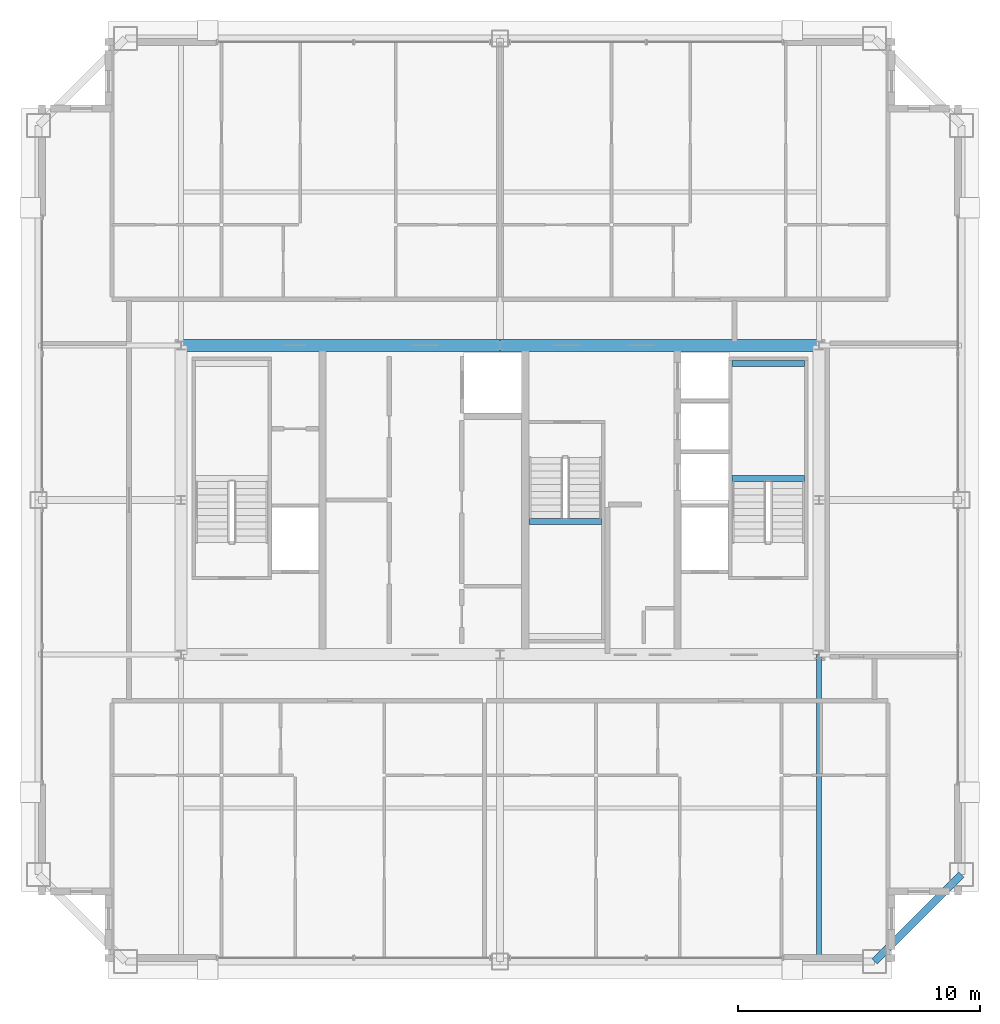
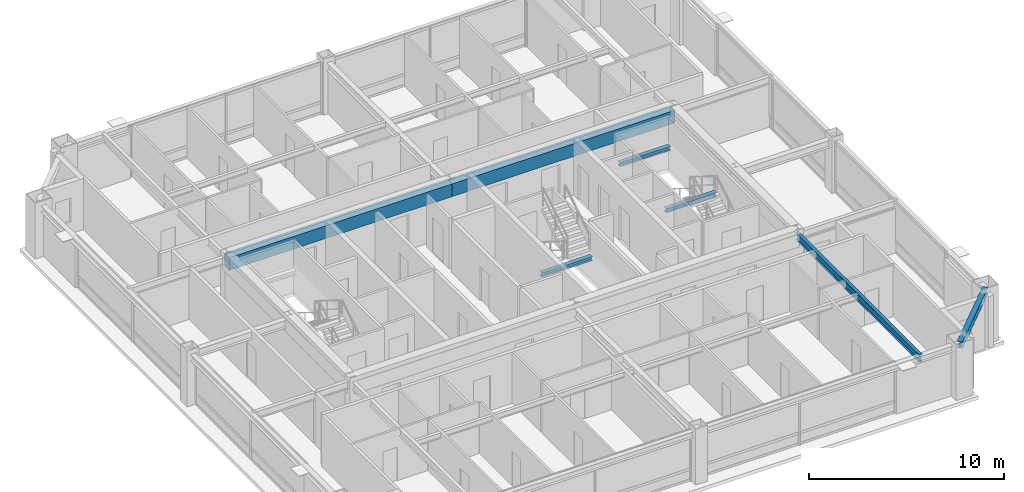
# One storey, part 13 of 35: 7 beams.
"""IFC4 building model written with IfcOpenShell, lengths in metres."""

import ifcopenshell
import ifcopenshell.guid

model = None  # the IFC model being written
_history = None  # IfcOwnerHistory: only IFC2X3 demands one
_inside = {}  # id of a spatial element -> (the spatial element, [elements in it])
_under = {}  # id of a project, library or spatial element -> (it, [spatial elements below it])
_declared = {}  # id of a project -> (the project, [libraries it declares])
_typed = {}  # id of a type object -> (the type object, [elements of that type])
_made_of = {}  # id of a material, layer set ... -> (it, [elements and type objects made of it])


def new_model(schema):
    """Start an empty IFC model of exactly this schema.

    Asked for "IFC4X3", IfcOpenShell would pick the latest addendum, in which some entities
    have other attributes; the version numbers below select the first issue.
    IFC2X3 requires an IfcOwnerHistory on every rooted entity: one is made here for all.
    """
    global model, _history
    if schema == "IFC4X3":
        model = ifcopenshell.file(schema_version=(4, 3, 0, 0))
    else:
        model = ifcopenshell.file(schema=schema)
    _inside.clear()
    _under.clear()
    _declared.clear()
    _typed.clear()
    _made_of.clear()
    _history = None
    if model.schema == "IFC2X3":
        org = make("IfcOrganization", Name="unknown")
        user = make(
            "IfcPersonAndOrganization",
            ThePerson=make("IfcPerson", FamilyName="unknown"),
            TheOrganization=org,
        )
        app = make(
            "IfcApplication",
            ApplicationDeveloper=org,
            Version="unknown",
            ApplicationFullName="unknown",
            ApplicationIdentifier="unknown",
        )
        _history = make(
            "IfcOwnerHistory",
            OwningUser=user,
            OwningApplication=app,
            ChangeAction="ADDED",
            CreationDate=0,
        )
    return model


def make(cls, **values):
    """One entity of the class cls with the attributes given. An attribute that is None is left unset."""
    return model.create_entity(
        cls, **{name: value for name, value in values.items() if value is not None}
    )


def rooted(cls, **values):
    """An entity with a GlobalId (a new one), such as an element, a storey or a relation."""
    return make(cls, GlobalId=ifcopenshell.guid.new(), OwnerHistory=_history, **values)


def si_unit(unit_type, name, prefix=None):
    """IfcSIUnit, for example si_unit("LENGTHUNIT", "METRE", prefix="MILLI")."""
    return make("IfcSIUnit", UnitType=unit_type, Prefix=prefix, Name=name)


def assignment(units):
    """IfcUnitAssignment: the units of a project."""
    return None if units is None else make("IfcUnitAssignment", Units=units)


def point(xyz):
    """IfcCartesianPoint."""
    return None if xyz is None else make("IfcCartesianPoint", Coordinates=xyz)


def direction(xyz):
    """IfcDirection."""
    return None if xyz is None else make("IfcDirection", DirectionRatios=xyz)


def frame(location, z_axis=None, x_axis=None):
    """IfcAxis2Placement3D, a coordinate frame: its origin and axes. An axis left out is left unset."""
    return make(
        "IfcAxis2Placement3D",
        Location=point(location),
        Axis=direction(z_axis),
        RefDirection=direction(x_axis),
    )


def frame_2d(location, x_axis=None):
    """IfcAxis2Placement2D, a coordinate frame in the plane: its origin and x axis."""
    return make(
        "IfcAxis2Placement2D", Location=point(location), RefDirection=direction(x_axis)
    )


def origin():
    """The frame at (0, 0, 0) with its axes left unset."""
    return frame((0.0, 0.0, 0.0))


def origin_2d():
    """The frame at (0, 0) in the plane with its x axis left unset."""
    return frame_2d((0.0, 0.0))


def place(relative_to, where):
    """IfcLocalPlacement: puts the frame where relative to a parent placement (None: the world)."""
    return make(
        "IfcLocalPlacement", PlacementRelTo=relative_to, RelativePlacement=where
    )


def context(
    kind, dimensions, precision=None, world=None, true_north=None, identifier=None
):
    """IfcGeometricRepresentationContext, for example the 3D "Model" context."""
    return make(
        "IfcGeometricRepresentationContext",
        ContextIdentifier=identifier,
        ContextType=kind,
        CoordinateSpaceDimension=dimensions,
        Precision=precision,
        WorldCoordinateSystem=world,
        TrueNorth=true_north,
    )


def subcontext(parent, identifier, kind, view, scale=None):
    """IfcGeometricRepresentationSubContext, for example "Body" below "Model"."""
    return make(
        "IfcGeometricRepresentationSubContext",
        ContextIdentifier=identifier,
        ContextType=kind,
        ParentContext=parent,
        TargetScale=scale,
        TargetView=view,
    )


def project(units=None, contexts=None):
    """IfcProject with its units and contexts."""
    return rooted(
        "IfcProject",
        Name="project",
        RepresentationContexts=contexts,
        UnitsInContext=assignment(units),
    )


def spatial(cls, under=None, at=None, **own):
    """A site, building, storey or space (cls), placed at a placement, below another one or the project."""
    s = rooted(cls, ObjectPlacement=at, **own)
    if under is not None:
        _under.setdefault(under.id(), (under, []))[1].append(s)
    return s


def profile(cls, at=None, kind="AREA", **sizes):
    """A parametric profile (cls). Its sizes go by their IFC names, for example OverallWidth=200.0."""
    return make(cls, ProfileType=kind, Position=at, **sizes)


def rectangle(**sizes):
    """IfcRectangleProfileDef."""
    return profile("IfcRectangleProfileDef", **sizes)


def i_section(**sizes):
    """IfcIShapeProfileDef."""
    return profile("IfcIShapeProfileDef", **sizes)


def extrude(swept, where, along, depth):
    """IfcExtrudedAreaSolid: the profile swept, set in the frame where, extruded along a direction by depth."""
    return make(
        "IfcExtrudedAreaSolid",
        SweptArea=swept,
        Position=where,
        ExtrudedDirection=direction(along),
        Depth=depth,
    )


def shape(context_of_items, identifier, shape_type, items):
    """IfcShapeRepresentation: the items that make up one representation, for example the "Body"."""
    return make(
        "IfcShapeRepresentation",
        ContextOfItems=context_of_items,
        RepresentationIdentifier=identifier,
        RepresentationType=shape_type,
        Items=items,
    )


def source(mapping_origin, context_of_items, identifier, shape_type, items):
    """IfcRepresentationMap: a shape defined once, which mapped items show again and again."""
    return make(
        "IfcRepresentationMap",
        MappingOrigin=mapping_origin,
        MappedRepresentation=shape(context_of_items, identifier, shape_type, items),
    )


def transform(
    local_origin,
    x_axis=None,
    y_axis=None,
    z_axis=None,
    scale=None,
    scale2=None,
    scale3=None,
    uniform=True,
):
    """IfcCartesianTransformationOperator3D, or its non-uniform kind. x_axis, y_axis, z_axis: its Axis1, 2, 3."""
    if uniform:
        return make(
            "IfcCartesianTransformationOperator3D",
            Axis1=direction(x_axis),
            Axis2=direction(y_axis),
            LocalOrigin=point(local_origin),
            Scale=scale,
            Axis3=direction(z_axis),
        )
    return make(
        "IfcCartesianTransformationOperator3DnonUniform",
        Axis1=direction(x_axis),
        Axis2=direction(y_axis),
        LocalOrigin=point(local_origin),
        Scale=scale,
        Axis3=direction(z_axis),
        Scale2=scale2,
        Scale3=scale3,
    )


def mapped(mapping_source, mapping_target):
    """IfcMappedItem: shows the shape of a source again, moved by a transform."""
    return make(
        "IfcMappedItem", MappingSource=mapping_source, MappingTarget=mapping_target
    )


def material(Name=None, Category=None):
    """IfcMaterial."""
    return make("IfcMaterial", Name=Name, Category=Category)


def material_profile(
    of_material, cross_section, Name=None, Category=None, Priority=None
):
    """IfcMaterialProfile: a cross section and its material."""
    return make(
        "IfcMaterialProfile",
        Name=Name,
        Material=of_material,
        Profile=cross_section,
        Priority=Priority,
        Category=Category,
    )


def profile_set(profiles, Name=None, composite=None):
    """IfcMaterialProfileSet."""
    return make(
        "IfcMaterialProfileSet",
        Name=Name,
        MaterialProfiles=profiles,
        CompositeProfile=composite,
    )


def made_of(thing, what):
    """Note that an element or type object is made of a material, layer set ...; save() writes the relation."""
    if what is not None:
        _made_of.setdefault(what.id(), (what, []))[1].append(thing)
    return thing


def type_object(cls, material=None, **own):
    """A type object (cls), such as IfcWallType, which elements share."""
    return made_of(rooted(cls, **own), material)


def element(
    cls,
    number,
    at=None,
    inside=None,
    cuts=None,
    type_object=None,
    material=None,
    context=None,
    identifier="Body",
    shape_type=None,
    held_by="IfcProductDefinitionShape",
    body=None,
    shapes=None,
    **own,
):
    """One element of the class cls, such as IfcWall. Its Tag is "e" and its number.

    at: its placement. inside: the storey or other place that contains it. cuts: it is an
    opening in that element (IfcRelVoidsElement). A single representation is given by context,
    identifier, shape_type and body (its items); several are given by shapes. held_by: the class
    of the entity that holds the representations. save() writes the other relations.
    """
    e = rooted(cls, Tag="e%d" % number, ObjectPlacement=at, **own)
    if body is not None:
        shapes = [shape(context, identifier, shape_type, body)]
    if shapes is not None:
        e.Representation = make(held_by, Representations=shapes)
    if inside is not None:
        _inside.setdefault(inside.id(), (inside, []))[1].append(e)
    if cuts is not None:
        rooted(
            "IfcRelVoidsElement", RelatingBuildingElement=cuts, RelatedOpeningElement=e
        )
    if type_object is not None:
        _typed.setdefault(type_object.id(), (type_object, []))[1].append(e)
    return made_of(e, material)


def aggregate(whole, parts):
    """IfcRelAggregates: a whole, such as a stair, and the parts it consists of."""
    return rooted("IfcRelAggregates", RelatingObject=whole, RelatedObjects=parts)


def save(model, path):
    """Write the relations noted so far, then the file.

    IfcRelAggregates (storeys below a building ...), IfcRelContainedInSpatialStructure (elements
    in a storey), IfcRelDefinesByType, IfcRelAssociatesMaterial and IfcRelDeclares: one each for
    every whole, place, type object, material and project.
    """
    for whole, parts in _under.values():
        aggregate(whole, parts)
    for where, things in _inside.values():
        rooted(
            "IfcRelContainedInSpatialStructure",
            RelatedElements=things,
            RelatingStructure=where,
        )
    for kind, things in _typed.values():
        rooted("IfcRelDefinesByType", RelatedObjects=things, RelatingType=kind)
    for what, things in _made_of.values():
        rooted("IfcRelAssociatesMaterial", RelatedObjects=things, RelatingMaterial=what)
    for by, libraries in _declared.values():
        rooted("IfcRelDeclares", RelatingContext=by, RelatedDefinitions=libraries)
    model.write(path)


model = new_model("IFC4")

# Units and contexts
model_context = context("Model", 3, precision=1e-05, world=origin(), true_north=direction((0.0, 1.0)))
body_context = subcontext(model_context, "Body", "Model", "MODEL_VIEW")
ifc_project = project(units=[si_unit("LENGTHUNIT", "METRE"), si_unit("AREAUNIT", "SQUARE_METRE"), si_unit("VOLUMEUNIT", "CUBIC_METRE"), si_unit("PLANEANGLEUNIT", "RADIAN"), si_unit("MASSUNIT", "GRAM", prefix="KILO"), si_unit("THERMODYNAMICTEMPERATUREUNIT", "KELVIN"), si_unit("POWERUNIT", "WATT")], contexts=[model_context])

# Site, building, storey
site_placement = place(None, origin())
site = spatial("IfcSite", under=ifc_project, at=site_placement, CompositionType="ELEMENT")
building_placement = place(site_placement, origin())
building = spatial("IfcBuilding", under=site, at=building_placement, Name="Yuzanri Waterfront Tower", CompositionType="ELEMENT")
storey_placement = place(building_placement, frame((0.0, 0.0, 303.10009765625)))
storey = spatial("IfcBuildingStorey", under=building, at=storey_placement, Name="L81", CompositionType="ELEMENT", Elevation=303.10009765625)

# Beams
ifc_material_1 = material(Name="Concrete C50", Category="concrete")
ifc_material_profile_1 = material_profile(ifc_material_1, rectangle(XDim=0.5, YDim=0.800048828125, at=origin_2d()), Name="RC 500x800")
ifc_profile_set_1 = profile_set([ifc_material_profile_1], Name="Concrete C50")
beam_type_1 = type_object("IfcBeamType", Name="Core Coupling Lintel Concrete C50 500x800", PredefinedType="LINTEL", material=ifc_profile_set_1)
shared_shape_1 = source(origin(), body_context, "Body", "SweptSolid", [
    extrude(rectangle(XDim=0.5, YDim=0.800048828125, at=origin_2d()), origin(), (0.0, 0.0, 1.0), 13.199951171875),
])
for number, where, z_axis, x_axis, name in (
    (1, (23.800048828125, 32.199951171875, 2.81982421875), (1.0, 0.0, 0.0), (0.0, 1.0, 0.0), "L81 Core Tie Beam CN1"),
    (2, (37.0, 32.199951171875, 2.81982421875), (1.0, 0.0, 0.0), (0.0, 1.0, 0.0), "L81 Core Tie Beam CN2"),
):
    element("IfcBeam", number, at=place(storey_placement, frame(where, z_axis=z_axis, x_axis=x_axis)), inside=storey, type_object=beam_type_1, Name=name, PredefinedType="LINTEL", context=body_context, shape_type="MappedRepresentation", body=[
        mapped(shared_shape_1, transform((0.0, 0.0, 0.0), scale=1.0)),
    ])
ifc_material_2 = material(Name="Steel Q355B", Category="steel")
ifc_material_profile_2 = material_profile(ifc_material_2, i_section(OverallWidth=0.300048828125, OverallDepth=0.389892578125, WebThickness=0.010009765625, FlangeThickness=0.01611328125, at=origin_2d()), Name="HM 390x300x10x16")
ifc_profile_set_2 = profile_set([ifc_material_profile_2], Name="Steel Q355B")
beam_type_2 = type_object("IfcBeamType", Name="Perimeter Spandrel Q355B HM 390x300", PredefinedType="SPANDREL", material=ifc_profile_set_2)
shared_shape_2 = source(origin(), body_context, "Body", "SweptSolid", [
    extrude(i_section(OverallWidth=0.300048828125, OverallDepth=0.389892578125, WebThickness=0.010009765625, FlangeThickness=0.01611328125, at=origin_2d()), origin(), (0.0, 0.0, 1.0), 5.09130859375),
])
beam_1_placement = place(storey_placement, frame((52.5, 6.699951171875, 3.02490234375), z_axis=(0.707106781187, 0.707106781187, 0.0), x_axis=(-0.707106781187, 0.707106781187, 0.0)))
element("IfcBeam", 3, at=beam_1_placement, inside=storey, type_object=beam_type_2, Name="L81 Perimeter Spandrel S3-E1", PredefinedType="SPANDREL", context=body_context, shape_type="MappedRepresentation", body=[
    mapped(shared_shape_2, transform((0.0, 0.0, 0.0), scale=1.0)),
])
ifc_material_3 = material(Name="Steel Q355B", Category="steel")
ifc_material_profile_3 = material_profile(ifc_material_3, i_section(OverallWidth=0.199951171875, OverallDepth=0.449951171875, WebThickness=0.009033203125, FlangeThickness=0.013916015625, at=origin_2d()), Name="HN 450x200x9x14")
ifc_profile_set_3 = profile_set([ifc_material_profile_3], Name="Steel Q355B")
beam_type_3 = type_object("IfcBeamType", Name="Secondary Floor Beam Q355B HN 450x200", PredefinedType="BEAM", material=ifc_profile_set_3)
shared_shape_3 = source(origin(), body_context, "Body", "SweptSolid", [
    extrude(i_section(OverallWidth=0.199951171875, OverallDepth=0.449951171875, WebThickness=0.009033203125, FlangeThickness=0.013916015625, at=origin_2d()), origin(), (0.0, 0.0, 1.0), 12.699951171875),
])
beam_2_placement = place(storey_placement, frame((50.199951171875, 19.39990234375, 2.994873046875), z_axis=(0.0, -1.0, 0.0), x_axis=(1.0, 0.0, 0.0)))
element("IfcBeam", 4, at=beam_2_placement, inside=storey, type_object=beam_type_3, Name="L81 South-East Core Line Beam", PredefinedType="BEAM", context=body_context, shape_type="MappedRepresentation", body=[
    mapped(shared_shape_3, transform((0.0, 0.0, 0.0), scale=1.0)),
])
ifc_material_4 = material(Name="Steel Q355B", Category="steel")
ifc_material_profile_4 = material_profile(ifc_material_4, i_section(OverallWidth=0.25, OverallDepth=0.25, WebThickness=0.009033203125, FlangeThickness=0.013916015625, at=origin_2d()), Name="HW 250x250x9x14")
ifc_profile_set_4 = profile_set([ifc_material_profile_4], Name="Steel Q355B")
beam_type_4 = type_object("IfcBeamType", Name="Stair Landing Support Beam Q355B HW 250x250", PredefinedType="BEAM", material=ifc_profile_set_4)
shared_shape_4 = source(origin(), body_context, "Body", "SweptSolid", [
    extrude(i_section(OverallWidth=0.25, OverallDepth=0.25, WebThickness=0.009033203125, FlangeThickness=0.013916015625, at=origin_2d()), origin(), (0.0, 0.0, 1.0), 3.0),
])
for number, where, z_axis, x_axis, name in (
    (5, (46.60009765625, 26.68994140625, 1.4248046875), (1.0, 0.0, 0.0), (0.0, 1.0, 0.0), "L81 Stair Landing Support Beam ST-02-L81-L1-1"),
    (6, (46.60009765625, 31.449951171875, 1.4248046875), (1.0, 0.0, 0.0), (0.0, 1.0, 0.0), "L81 Stair Landing Support Beam ST-02-L81-L1-2"),
    (7, (38.199951171875, 24.909912109375, 1.4248046875), (1.0, 0.0, 0.0), (0.0, 1.0, 0.0), "L81 Stair Landing Support Beam ST-03-L81-L1-2"),
):
    element("IfcBeam", number, at=place(storey_placement, frame(where, z_axis=z_axis, x_axis=x_axis)), inside=storey, type_object=beam_type_4, Name=name, PredefinedType="BEAM", context=body_context, shape_type="MappedRepresentation", body=[
        mapped(shared_shape_4, transform((0.0, 0.0, 0.0), scale=1.0)),
    ])

save(model, "model.ifc")
